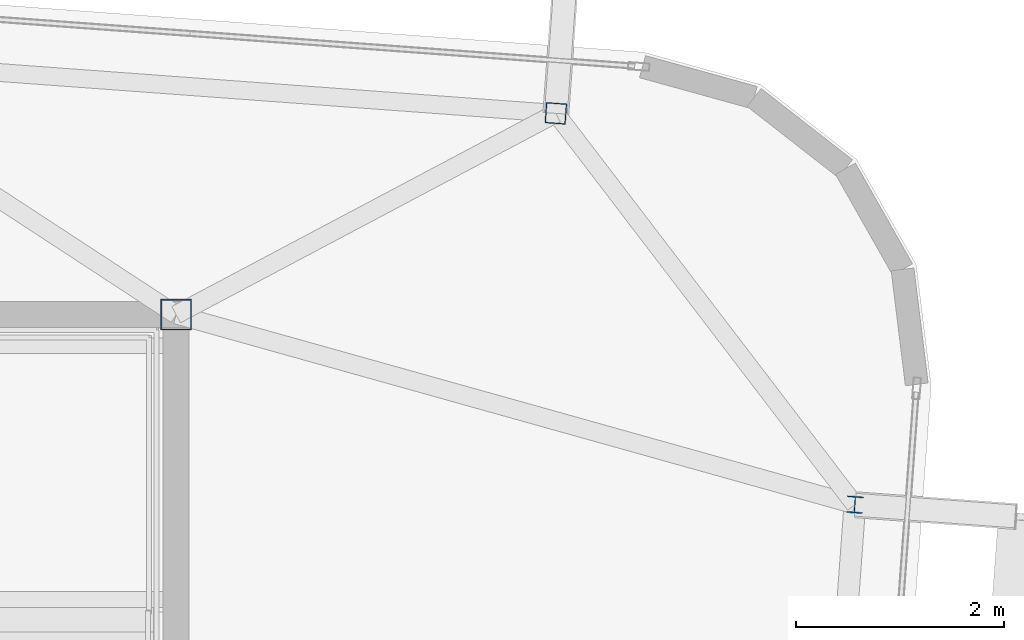
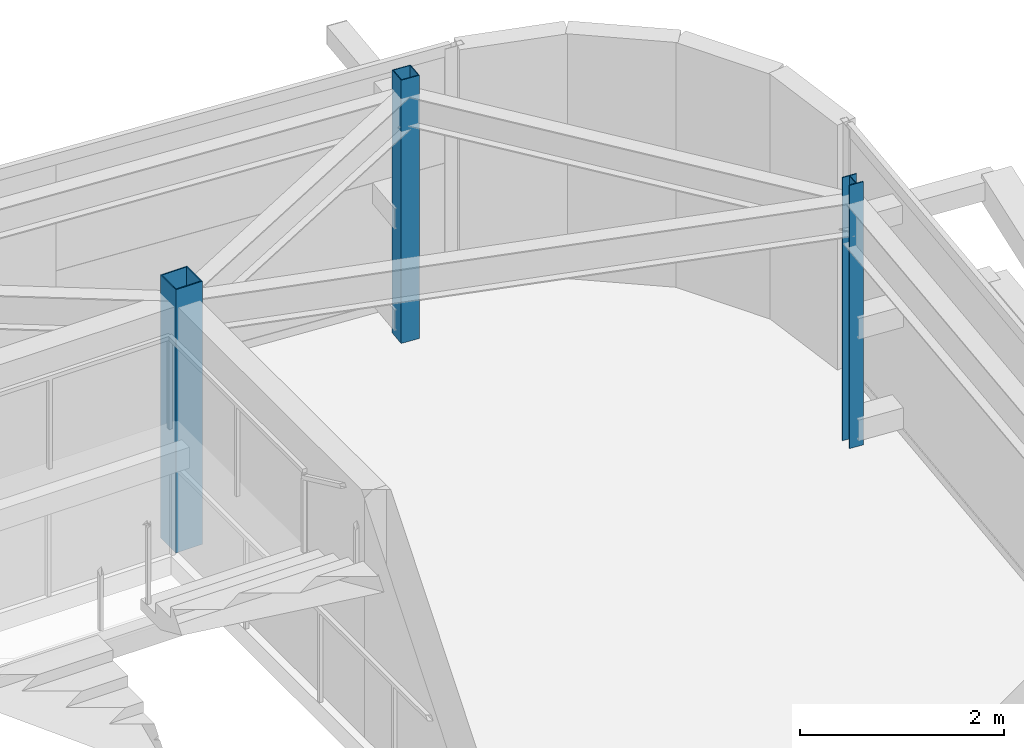
# One storey, part 6 of 34: 3 columns.
"""IFC4 building model written with IfcOpenShell, lengths in metres."""

import ifcopenshell
import ifcopenshell.guid

model = None  # the IFC model being written
_history = None  # IfcOwnerHistory: only IFC2X3 demands one
_inside = {}  # id of a spatial element -> (the spatial element, [elements in it])
_under = {}  # id of a project, library or spatial element -> (it, [spatial elements below it])
_declared = {}  # id of a project -> (the project, [libraries it declares])
_typed = {}  # id of a type object -> (the type object, [elements of that type])
_made_of = {}  # id of a material, layer set ... -> (it, [elements and type objects made of it])


def new_model(schema):
    """Start an empty IFC model of exactly this schema.

    Asked for "IFC4X3", IfcOpenShell would pick the latest addendum, in which some entities
    have other attributes; the version numbers below select the first issue.
    IFC2X3 requires an IfcOwnerHistory on every rooted entity: one is made here for all.
    """
    global model, _history
    if schema == "IFC4X3":
        model = ifcopenshell.file(schema_version=(4, 3, 0, 0))
    else:
        model = ifcopenshell.file(schema=schema)
    _inside.clear()
    _under.clear()
    _declared.clear()
    _typed.clear()
    _made_of.clear()
    _history = None
    if model.schema == "IFC2X3":
        org = make("IfcOrganization", Name="unknown")
        user = make(
            "IfcPersonAndOrganization",
            ThePerson=make("IfcPerson", FamilyName="unknown"),
            TheOrganization=org,
        )
        app = make(
            "IfcApplication",
            ApplicationDeveloper=org,
            Version="unknown",
            ApplicationFullName="unknown",
            ApplicationIdentifier="unknown",
        )
        _history = make(
            "IfcOwnerHistory",
            OwningUser=user,
            OwningApplication=app,
            ChangeAction="ADDED",
            CreationDate=0,
        )
    return model


def make(cls, **values):
    """One entity of the class cls with the attributes given. An attribute that is None is left unset."""
    return model.create_entity(
        cls, **{name: value for name, value in values.items() if value is not None}
    )


def rooted(cls, **values):
    """An entity with a GlobalId (a new one), such as an element, a storey or a relation."""
    return make(cls, GlobalId=ifcopenshell.guid.new(), OwnerHistory=_history, **values)


def si_unit(unit_type, name, prefix=None):
    """IfcSIUnit, for example si_unit("LENGTHUNIT", "METRE", prefix="MILLI")."""
    return make("IfcSIUnit", UnitType=unit_type, Prefix=prefix, Name=name)


def assignment(units):
    """IfcUnitAssignment: the units of a project."""
    return None if units is None else make("IfcUnitAssignment", Units=units)


def point(xyz):
    """IfcCartesianPoint."""
    return None if xyz is None else make("IfcCartesianPoint", Coordinates=xyz)


def direction(xyz):
    """IfcDirection."""
    return None if xyz is None else make("IfcDirection", DirectionRatios=xyz)


def frame(location, z_axis=None, x_axis=None):
    """IfcAxis2Placement3D, a coordinate frame: its origin and axes. An axis left out is left unset."""
    return make(
        "IfcAxis2Placement3D",
        Location=point(location),
        Axis=direction(z_axis),
        RefDirection=direction(x_axis),
    )


def frame_2d(location, x_axis=None):
    """IfcAxis2Placement2D, a coordinate frame in the plane: its origin and x axis."""
    return make(
        "IfcAxis2Placement2D", Location=point(location), RefDirection=direction(x_axis)
    )


def origin():
    """The frame at (0, 0, 0) with its axes left unset."""
    return frame((0.0, 0.0, 0.0))


def origin_2d():
    """The frame at (0, 0) in the plane with its x axis left unset."""
    return frame_2d((0.0, 0.0))


def place(relative_to, where):
    """IfcLocalPlacement: puts the frame where relative to a parent placement (None: the world)."""
    return make(
        "IfcLocalPlacement", PlacementRelTo=relative_to, RelativePlacement=where
    )


def context(
    kind, dimensions, precision=None, world=None, true_north=None, identifier=None
):
    """IfcGeometricRepresentationContext, for example the 3D "Model" context."""
    return make(
        "IfcGeometricRepresentationContext",
        ContextIdentifier=identifier,
        ContextType=kind,
        CoordinateSpaceDimension=dimensions,
        Precision=precision,
        WorldCoordinateSystem=world,
        TrueNorth=true_north,
    )


def subcontext(parent, identifier, kind, view, scale=None):
    """IfcGeometricRepresentationSubContext, for example "Body" below "Model"."""
    return make(
        "IfcGeometricRepresentationSubContext",
        ContextIdentifier=identifier,
        ContextType=kind,
        ParentContext=parent,
        TargetScale=scale,
        TargetView=view,
    )


def project(units=None, contexts=None):
    """IfcProject with its units and contexts."""
    return rooted(
        "IfcProject",
        Name="project",
        RepresentationContexts=contexts,
        UnitsInContext=assignment(units),
    )


def spatial(cls, under=None, at=None, **own):
    """A site, building, storey or space (cls), placed at a placement, below another one or the project."""
    s = rooted(cls, ObjectPlacement=at, **own)
    if under is not None:
        _under.setdefault(under.id(), (under, []))[1].append(s)
    return s


def profile(cls, at=None, kind="AREA", **sizes):
    """A parametric profile (cls). Its sizes go by their IFC names, for example OverallWidth=200.0."""
    return make(cls, ProfileType=kind, Position=at, **sizes)


def hollow_rectangle(**sizes):
    """IfcRectangleHollowProfileDef."""
    return profile("IfcRectangleHollowProfileDef", **sizes)


def i_section(**sizes):
    """IfcIShapeProfileDef."""
    return profile("IfcIShapeProfileDef", **sizes)


def extrude(swept, where, along, depth):
    """IfcExtrudedAreaSolid: the profile swept, set in the frame where, extruded along a direction by depth."""
    return make(
        "IfcExtrudedAreaSolid",
        SweptArea=swept,
        Position=where,
        ExtrudedDirection=direction(along),
        Depth=depth,
    )


def shape(context_of_items, identifier, shape_type, items):
    """IfcShapeRepresentation: the items that make up one representation, for example the "Body"."""
    return make(
        "IfcShapeRepresentation",
        ContextOfItems=context_of_items,
        RepresentationIdentifier=identifier,
        RepresentationType=shape_type,
        Items=items,
    )


def source(mapping_origin, context_of_items, identifier, shape_type, items):
    """IfcRepresentationMap: a shape defined once, which mapped items show again and again."""
    return make(
        "IfcRepresentationMap",
        MappingOrigin=mapping_origin,
        MappedRepresentation=shape(context_of_items, identifier, shape_type, items),
    )


def transform(
    local_origin,
    x_axis=None,
    y_axis=None,
    z_axis=None,
    scale=None,
    scale2=None,
    scale3=None,
    uniform=True,
):
    """IfcCartesianTransformationOperator3D, or its non-uniform kind. x_axis, y_axis, z_axis: its Axis1, 2, 3."""
    if uniform:
        return make(
            "IfcCartesianTransformationOperator3D",
            Axis1=direction(x_axis),
            Axis2=direction(y_axis),
            LocalOrigin=point(local_origin),
            Scale=scale,
            Axis3=direction(z_axis),
        )
    return make(
        "IfcCartesianTransformationOperator3DnonUniform",
        Axis1=direction(x_axis),
        Axis2=direction(y_axis),
        LocalOrigin=point(local_origin),
        Scale=scale,
        Axis3=direction(z_axis),
        Scale2=scale2,
        Scale3=scale3,
    )


def mapped(mapping_source, mapping_target):
    """IfcMappedItem: shows the shape of a source again, moved by a transform."""
    return make(
        "IfcMappedItem", MappingSource=mapping_source, MappingTarget=mapping_target
    )


def material(Name=None, Category=None):
    """IfcMaterial."""
    return make("IfcMaterial", Name=Name, Category=Category)


def material_profile(
    of_material, cross_section, Name=None, Category=None, Priority=None
):
    """IfcMaterialProfile: a cross section and its material."""
    return make(
        "IfcMaterialProfile",
        Name=Name,
        Material=of_material,
        Profile=cross_section,
        Priority=Priority,
        Category=Category,
    )


def profile_set(profiles, Name=None, composite=None):
    """IfcMaterialProfileSet."""
    return make(
        "IfcMaterialProfileSet",
        Name=Name,
        MaterialProfiles=profiles,
        CompositeProfile=composite,
    )


def made_of(thing, what):
    """Note that an element or type object is made of a material, layer set ...; save() writes the relation."""
    if what is not None:
        _made_of.setdefault(what.id(), (what, []))[1].append(thing)
    return thing


def type_object(cls, material=None, **own):
    """A type object (cls), such as IfcWallType, which elements share."""
    return made_of(rooted(cls, **own), material)


def element(
    cls,
    number,
    at=None,
    inside=None,
    cuts=None,
    type_object=None,
    material=None,
    context=None,
    identifier="Body",
    shape_type=None,
    held_by="IfcProductDefinitionShape",
    body=None,
    shapes=None,
    **own,
):
    """One element of the class cls, such as IfcWall. Its Tag is "e" and its number.

    at: its placement. inside: the storey or other place that contains it. cuts: it is an
    opening in that element (IfcRelVoidsElement). A single representation is given by context,
    identifier, shape_type and body (its items); several are given by shapes. held_by: the class
    of the entity that holds the representations. save() writes the other relations.
    """
    e = rooted(cls, Tag="e%d" % number, ObjectPlacement=at, **own)
    if body is not None:
        shapes = [shape(context, identifier, shape_type, body)]
    if shapes is not None:
        e.Representation = make(held_by, Representations=shapes)
    if inside is not None:
        _inside.setdefault(inside.id(), (inside, []))[1].append(e)
    if cuts is not None:
        rooted(
            "IfcRelVoidsElement", RelatingBuildingElement=cuts, RelatedOpeningElement=e
        )
    if type_object is not None:
        _typed.setdefault(type_object.id(), (type_object, []))[1].append(e)
    return made_of(e, material)


def aggregate(whole, parts):
    """IfcRelAggregates: a whole, such as a stair, and the parts it consists of."""
    return rooted("IfcRelAggregates", RelatingObject=whole, RelatedObjects=parts)


def save(model, path):
    """Write the relations noted so far, then the file.

    IfcRelAggregates (storeys below a building ...), IfcRelContainedInSpatialStructure (elements
    in a storey), IfcRelDefinesByType, IfcRelAssociatesMaterial and IfcRelDeclares: one each for
    every whole, place, type object, material and project.
    """
    for whole, parts in _under.values():
        aggregate(whole, parts)
    for where, things in _inside.values():
        rooted(
            "IfcRelContainedInSpatialStructure",
            RelatedElements=things,
            RelatingStructure=where,
        )
    for kind, things in _typed.values():
        rooted("IfcRelDefinesByType", RelatedObjects=things, RelatingType=kind)
    for what, things in _made_of.values():
        rooted("IfcRelAssociatesMaterial", RelatedObjects=things, RelatingMaterial=what)
    for by, libraries in _declared.values():
        rooted("IfcRelDeclares", RelatingContext=by, RelatedDefinitions=libraries)
    model.write(path)


model = new_model("IFC4")

# Units and contexts
model_context = context("Model", 3, precision=1e-05, world=origin(), true_north=direction((0.0, 1.0)))
body_context = subcontext(model_context, "Body", "Model", "MODEL_VIEW")
ifc_project = project(units=[si_unit("LENGTHUNIT", "METRE"), si_unit("AREAUNIT", "SQUARE_METRE"), si_unit("VOLUMEUNIT", "CUBIC_METRE"), si_unit("PLANEANGLEUNIT", "RADIAN"), si_unit("MASSUNIT", "GRAM", prefix="KILO")], contexts=[model_context])

# Site, building, storey
site_placement = place(None, origin())
site = spatial("IfcSite", under=ifc_project, at=site_placement, CompositionType="ELEMENT")
building_placement = place(site_placement, origin())
building = spatial("IfcBuilding", under=site, at=building_placement, Name="Taldren Reach Tower", CompositionType="ELEMENT")
storey_placement = place(building_placement, frame((0.0, 0.0, 246.050048828125)))
storey = spatial("IfcBuildingStorey", under=building, at=storey_placement, Name="L75", CompositionType="ELEMENT", Elevation=246.050048828125)

# Columns
ifc_material_1 = material(Name="Steel Gr 450 (C450L0)", Category="steel")
ifc_material_profile_1 = material_profile(ifc_material_1, hollow_rectangle(XDim=0.300048828125, YDim=0.300048828125, WallThickness=0.012451171875, at=origin_2d()), Name="300x300x12.5SHS")
ifc_profile_set_1 = profile_set([ifc_material_profile_1], Name="Steel Gr 450 (C450L0)")
column_type_1 = type_object("IfcColumnType", Name="COL-SHS300", PredefinedType="COLUMN", material=ifc_profile_set_1)
shared_shape_1 = source(origin(), body_context, "Body", "SweptSolid", [
    extrude(hollow_rectangle(XDim=0.300048828125, YDim=0.300048828125, WallThickness=0.012451171875, at=origin_2d()), origin(), (0.0, 0.0, 1.0), 3.14990234375),
])
column_1_placement = place(storey_placement, frame((51.0, 32.0, 0.0), z_axis=(0.0, 0.0, 1.0), x_axis=(1.0, 0.0, 0.0)))
element("IfcColumn", 1, at=column_1_placement, inside=storey, type_object=column_type_1, Name="Mega column MC-C8 L75", PredefinedType="COLUMN", context=body_context, shape_type="MappedRepresentation", body=[
    mapped(shared_shape_1, transform((0.0, 0.0, 0.0), scale=1.0)),
])
ifc_material_2 = material(Name="Steel Gr 350 (C350L0)", Category="steel")
ifc_material_profile_2 = material_profile(ifc_material_2, hollow_rectangle(XDim=0.199951171875, YDim=0.199951171875, WallThickness=0.009033203125, at=origin_2d()), Name="200x200x9.0SHS")
ifc_profile_set_2 = profile_set([ifc_material_profile_2], Name="Steel Gr 350 (C350L0)")
column_type_2 = type_object("IfcColumnType", Name="COL-SHS200", PredefinedType="COLUMN", material=ifc_profile_set_2)
shared_shape_2 = source(origin(), body_context, "Body", "SweptSolid", [
    extrude(hollow_rectangle(XDim=0.199951171875, YDim=0.199951171875, WallThickness=0.009033203125, at=origin_2d()), origin(), (0.0, 0.0, 1.0), 3.14990234375),
])
column_2_placement = place(storey_placement, frame((54.659423828125, 33.939697265625, 0.0), z_axis=(0.0, 0.0, 1.0), x_axis=(0.997314477224, -0.073238197128, 0.0)))
element("IfcColumn", 2, at=column_2_placement, inside=storey, type_object=column_type_2, Name="Block B5 perimeter column N6 L75", PredefinedType="COLUMN", context=body_context, shape_type="MappedRepresentation", body=[
    mapped(shared_shape_2, transform((0.0, 0.0, 0.0), scale=1.0)),
])
ifc_material_3 = material(Name="Steel Gr 350 (350PLUS)", Category="steel")
ifc_material_profile_3 = material_profile(ifc_material_3, i_section(OverallWidth=0.154052734375, OverallDepth=0.162109375, WebThickness=0.008056640625, FlangeThickness=0.011474609375, at=origin_2d()), Name="150UC37.2")
ifc_profile_set_3 = profile_set([ifc_material_profile_3], Name="Steel Gr 350 (350PLUS)")
column_type_3 = type_object("IfcColumnType", Name="COL-UC150", PredefinedType="COLUMN", material=ifc_profile_set_3)
shared_shape_3 = source(origin(), body_context, "Body", "SweptSolid", [
    extrude(i_section(OverallWidth=0.154052734375, OverallDepth=0.162109375, WebThickness=0.008056640625, FlangeThickness=0.011474609375, at=origin_2d()), origin(), (0.0, 0.0, 1.0), 3.14990234375),
])
column_3_placement = place(storey_placement, frame((57.540771484375, 30.168701171875, 0.0), z_axis=(0.0, 0.0, 1.0), x_axis=(0.997314477224, -0.073238197128, 0.0)))
element("IfcColumn", 3, at=column_3_placement, inside=storey, type_object=column_type_3, Name="Block B5 perimeter column E3 L75", PredefinedType="COLUMN", context=body_context, shape_type="MappedRepresentation", body=[
    mapped(shared_shape_3, transform((0.0, 0.0, 0.0), scale=1.0)),
])

save(model, "model.ifc")
